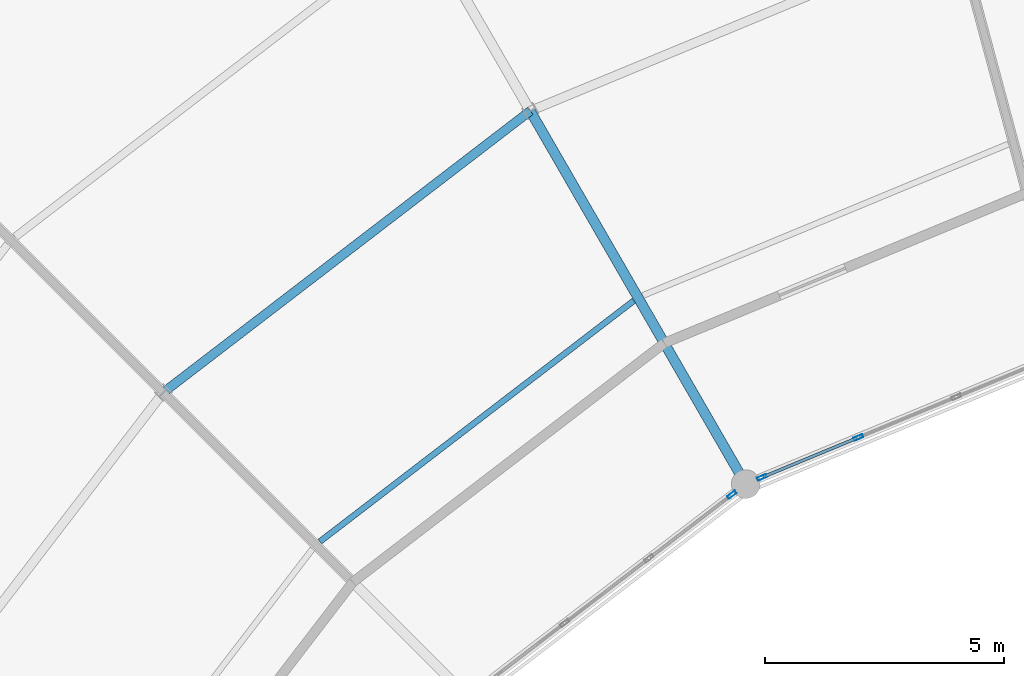
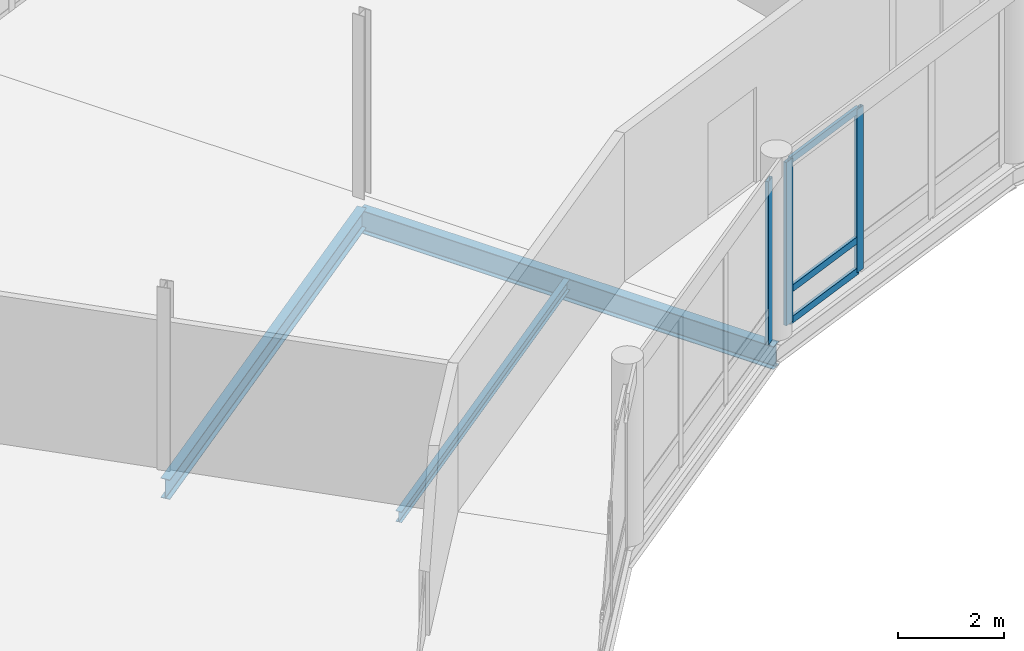
# One storey, part 84 of 185: 6 members, 3 beams, 2 elements without a shape of their own.
"""IFC4 building model written with IfcOpenShell, lengths in metres."""

from ifc_helpers import new_model, si_unit, direction, frame, origin, origin_2d, place, context, subcontext, project, spatial, hollow_rectangle, i_section, extrude, material, material_profile, profile_set, type_object, element, aggregate, save


model = new_model("IFC4")

# Units and contexts
model_context = context("Model", 3, precision=1e-05, world=origin(), true_north=direction((0.0, 1.0)))
body_context = subcontext(model_context, "Body", "Model", "MODEL_VIEW")
ifc_project = project(units=[si_unit("LENGTHUNIT", "METRE"), si_unit("AREAUNIT", "SQUARE_METRE"), si_unit("VOLUMEUNIT", "CUBIC_METRE"), si_unit("PLANEANGLEUNIT", "RADIAN"), si_unit("MASSUNIT", "GRAM", prefix="KILO")], contexts=[model_context])

# Site, building, storey
site_placement = place(None, origin())
site = spatial("IfcSite", under=ifc_project, at=site_placement, CompositionType="ELEMENT")
building_placement = place(site_placement, origin())
building = spatial("IfcBuilding", under=site, at=building_placement, Name="Vondelvale Polytechnic", CompositionType="ELEMENT")
storey_placement = place(building_placement, frame((0.0, 0.0, 9.60009765625)))
storey = spatial("IfcBuildingStorey", under=building, at=storey_placement, Name="L02", CompositionType="ELEMENT", Elevation=9.60009765625)

# Beams
ifc_material_1 = material(Name="Steel 300PLUS (fy = 300 MPa)", Category="steel")
ifc_material_profile_1 = material_profile(ifc_material_1, i_section(OverallWidth=0.18994140625, OverallDepth=0.4541015625, WebThickness=0.008544921875, FlangeThickness=0.0126953125, FilletRadius=0.011474609375, at=origin_2d()), Name="460UB67.1")
ifc_profile_set_1 = profile_set([ifc_material_profile_1], Name="Steel 300PLUS (fy = 300 MPa)")
beam_type_1 = type_object("IfcBeamType", Name="BM-UB460L", PredefinedType="BEAM", material=ifc_profile_set_1)
beam_1_placement = place(storey_placement, frame((83.5, 104.04296875, -0.507080078125), z_axis=(-0.793363832402, -0.60874775518, 0.0), x_axis=(0.60874775518, -0.793363832402, 0.0)))
element("IfcBeam", 1, at=beam_1_placement, inside=storey, type_object=beam_type_1, Name="L02 RB B-22", PredefinedType="BEAM", context=body_context, shape_type="SweptSolid", body=[
    extrude(i_section(OverallWidth=0.18994140625, OverallDepth=0.4541015625, WebThickness=0.008544921875, FlangeThickness=0.0126953125, FilletRadius=0.011474609375, at=origin_2d()), origin(), (0.0, 0.0, 1.0), 9.658935546875),
])
ifc_material_profile_2 = material_profile(ifc_material_1, i_section(OverallWidth=0.208984375, OverallDepth=0.528076171875, WebThickness=0.009521484375, FlangeThickness=0.01318359375, FilletRadius=0.013916015625, at=origin_2d()), Name="530UB82.0")
ifc_profile_set_2 = profile_set([ifc_material_profile_2], Name="Steel 300PLUS (fy = 300 MPa)")
beam_type_2 = type_object("IfcBeamType", Name="BM-UB530L", PredefinedType="BEAM", material=ifc_profile_set_2)
beam_2_placement = place(storey_placement, frame((88.0, 96.248779296875, -0.544189453125), z_axis=(-0.5000018851, 0.866024315419, 0.0), x_axis=(-0.866024315419, -0.5000018851, 0.0)))
element("IfcBeam", 2, at=beam_2_placement, inside=storey, type_object=beam_type_2, Name="L02 RG B-21", PredefinedType="BEAM", context=body_context, shape_type="SweptSolid", body=[
    extrude(i_section(OverallWidth=0.208984375, OverallDepth=0.528076171875, WebThickness=0.009521484375, FlangeThickness=0.01318359375, FilletRadius=0.013916015625, at=origin_2d()), origin(), (0.0, 0.0, 1.0), 9.0),
])

# Curtain wall, members
ifc_material_2 = material(Name="Anodised extruded aluminium 6063-T6", Category="aluminium")
curtain_wall_type = type_object("IfcCurtainWallType", Name="CW-RING-CLOISTER", PredefinedType="NOTDEFINED", material=ifc_material_2)
curtain_wall_1_placement = place(storey_placement, origin())
curtain_wall_1 = element("IfcCurtainWall", 3, at=curtain_wall_1_placement, inside=storey, type_object=curtain_wall_type, Name="L02 architectural curtain wall CW-03-179", PredefinedType="NOTDEFINED")
ifc_material_profile_3 = material_profile(ifc_material_2, hollow_rectangle(XDim=0.070068359375, YDim=0.199951171875, WallThickness=0.00390625, at=origin_2d()), Name="CW-MUL-200x70")
ifc_profile_set_3 = profile_set([ifc_material_profile_3], Name="Anodised extruded aluminium 6063-T6")
member_type_1 = type_object("IfcMemberType", Name="CW-MUL-70x200", PredefinedType="MULLION", material=ifc_profile_set_3)
member_1_placement = place(storey_placement, frame((90.352783203125, 97.22314453125, 0.0), z_axis=(0.0, 0.0, 1.0), x_axis=(0.382678531697, -0.923881562419, 0.0)))
member_1 = element("IfcMember", 4, at=member_1_placement, type_object=member_type_1, Name="CW-03-179 mullion 3", PredefinedType="MULLION", context=body_context, shape_type="SweptSolid", body=[
    extrude(hollow_rectangle(XDim=0.070068359375, YDim=0.199951171875, WallThickness=0.00390625, at=origin_2d()), origin(), (0.0, 0.0, 1.0), 3.75),
])
member_2_placement = place(storey_placement, frame((88.337158203125, 96.388427734375, 0.0), z_axis=(0.0, 0.0, 1.0), x_axis=(0.382678531697, -0.923881562419, 0.0)))
member_2 = element("IfcMember", 5, at=member_2_placement, type_object=member_type_1, Name="CW-03-179 mullion 4", PredefinedType="MULLION", context=body_context, shape_type="SweptSolid", body=[
    extrude(hollow_rectangle(XDim=0.070068359375, YDim=0.199951171875, WallThickness=0.00390625, at=origin_2d()), origin(), (0.0, 0.0, 1.0), 3.75),
])

# Curtain wall, member
curtain_wall_2_placement = place(storey_placement, origin())
curtain_wall_2 = element("IfcCurtainWall", 6, at=curtain_wall_2_placement, inside=storey, type_object=curtain_wall_type, Name="L02 architectural curtain wall CW-03-198", PredefinedType="NOTDEFINED")
member_3_placement = place(storey_placement, frame((87.71142578125, 96.02734375, 0.0), z_axis=(0.0, 0.0, 1.0), x_axis=(0.608747717793, -0.793363861089, 0.0)))
member_3 = element("IfcMember", 7, at=member_3_placement, type_object=member_type_1, Name="CW-03-198 mullion 1", PredefinedType="MULLION", context=body_context, shape_type="SweptSolid", body=[
    extrude(hollow_rectangle(XDim=0.070068359375, YDim=0.199951171875, WallThickness=0.00390625, at=origin_2d()), origin(), (0.0, 0.0, 1.0), 3.75),
])
aggregate(curtain_wall_2, [member_3])

# Member
ifc_material_profile_4 = material_profile(ifc_material_2, hollow_rectangle(XDim=0.06494140625, YDim=0.159912109375, WallThickness=0.00341796875, at=origin_2d()), Name="CW-TRN-160x65")
ifc_profile_set_4 = profile_set([ifc_material_profile_4], Name="Anodised extruded aluminium 6063-T6")
member_type_2 = type_object("IfcMemberType", Name="CW-TRN-70x160", PredefinedType="USERDEFINED", material=ifc_profile_set_4)
member_4_placement = place(storey_placement, frame((90.3203125, 97.209716796875, 0.032470703125), z_axis=(-0.923902685011, -0.382627532503, 0.0), x_axis=(0.382627532503, -0.923902685011, 0.0)))
member_4 = element("IfcMember", 8, at=member_4_placement, type_object=member_type_2, Name="CW-03-179 transom 3.1", ObjectType="TRANSOM", PredefinedType="USERDEFINED", context=body_context, shape_type="SweptSolid", body=[
    extrude(hollow_rectangle(XDim=0.06494140625, YDim=0.159912109375, WallThickness=0.00341796875, at=origin_2d()), origin(), (0.0, 0.0, 1.0), 2.111328125),
])

member_5_placement = place(storey_placement, frame((90.3203125, 97.209716796875, 0.75), z_axis=(-0.923902685011, -0.382627532503, 0.0), x_axis=(0.382627532503, -0.923902685011, 0.0)))
member_5 = element("IfcMember", 9, at=member_5_placement, type_object=member_type_2, Name="CW-03-179 transom 3.2", ObjectType="TRANSOM", PredefinedType="USERDEFINED", context=body_context, shape_type="SweptSolid", body=[
    extrude(hollow_rectangle(XDim=0.06494140625, YDim=0.159912109375, WallThickness=0.00341796875, at=origin_2d()), origin(), (0.0, 0.0, 1.0), 2.111328125),
])

member_6_placement = place(storey_placement, frame((90.3203125, 97.209716796875, 3.71728515625), z_axis=(-0.923902685011, -0.382627532503, 0.0), x_axis=(0.382627532503, -0.923902685011, 0.0)))
member_6 = element("IfcMember", 10, at=member_6_placement, type_object=member_type_2, Name="CW-03-179 transom 3.3", ObjectType="TRANSOM", PredefinedType="USERDEFINED", context=body_context, shape_type="SweptSolid", body=[
    extrude(hollow_rectangle(XDim=0.06494140625, YDim=0.159912109375, WallThickness=0.00341796875, at=origin_2d()), origin(), (0.0, 0.0, 1.0), 2.111328125),
])

aggregate(curtain_wall_1, [member_1, member_2, member_4, member_5, member_6])

# Beam
ifc_material_profile_5 = material_profile(ifc_material_1, i_section(OverallWidth=0.1240234375, OverallDepth=0.248046875, WebThickness=0.0048828125, FlangeThickness=0.008056640625, FilletRadius=0.0087890625, at=origin_2d()), Name="250UB25.7")
ifc_profile_set_5 = profile_set([ifc_material_profile_5], Name="Steel 300PLUS (fy = 300 MPa)")
beam_type_3 = type_object("IfcBeamType", Name="JST-UB250L", PredefinedType="JOIST", material=ifc_profile_set_5)
beam_3_placement = place(storey_placement, frame((85.66259765625, 100.078857421875, -0.404052734375), z_axis=(-0.793361419587, -0.608750899721, 0.0), x_axis=(0.608750899721, -0.793361419587, 0.0)))
element("IfcBeam", 11, at=beam_3_placement, inside=storey, type_object=beam_type_3, Name="L02 RJ J-08", PredefinedType="JOIST", context=body_context, shape_type="SweptSolid", body=[
    extrude(i_section(OverallWidth=0.1240234375, OverallDepth=0.248046875, WebThickness=0.0048828125, FlangeThickness=0.008056640625, FilletRadius=0.0087890625, at=origin_2d()), origin(), (0.0, 0.0, 1.0), 8.26416015625),
])

save(model, "model.ifc")
